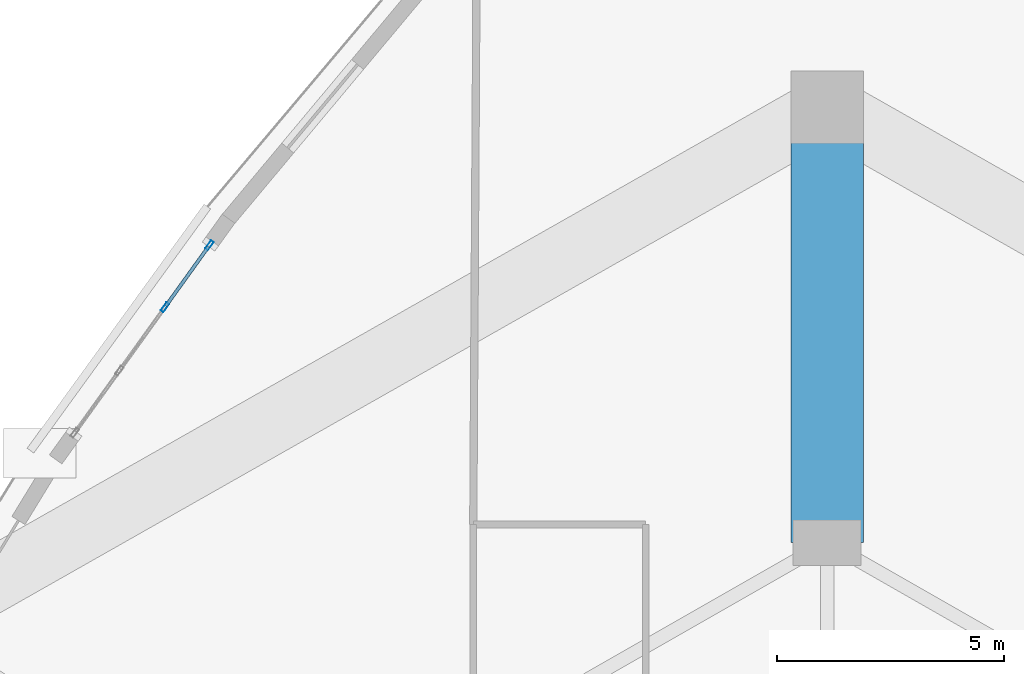
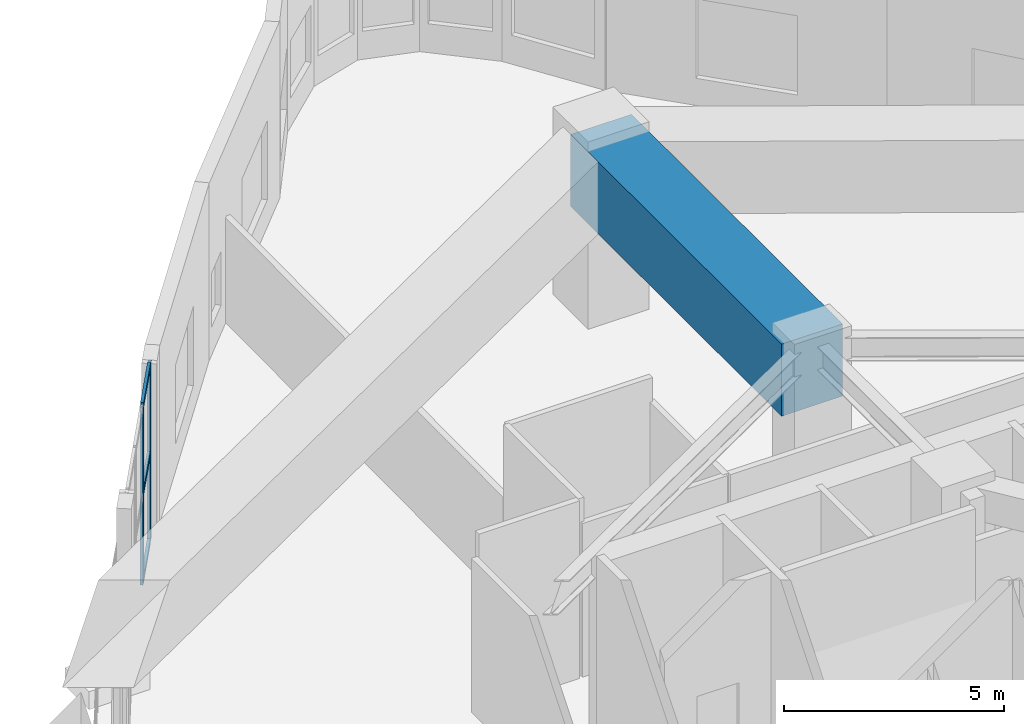
# One storey, part 8 of 19: 5 members, 1 beam, 1 element without a shape of its own.
"""IFC4 building model written with IfcOpenShell, lengths in metres."""

import ifcopenshell
import ifcopenshell.guid

model = None  # the IFC model being written
_history = None  # IfcOwnerHistory: only IFC2X3 demands one
_inside = {}  # id of a spatial element -> (the spatial element, [elements in it])
_under = {}  # id of a project, library or spatial element -> (it, [spatial elements below it])
_declared = {}  # id of a project -> (the project, [libraries it declares])
_typed = {}  # id of a type object -> (the type object, [elements of that type])
_made_of = {}  # id of a material, layer set ... -> (it, [elements and type objects made of it])


def new_model(schema):
    """Start an empty IFC model of exactly this schema.

    Asked for "IFC4X3", IfcOpenShell would pick the latest addendum, in which some entities
    have other attributes; the version numbers below select the first issue.
    IFC2X3 requires an IfcOwnerHistory on every rooted entity: one is made here for all.
    """
    global model, _history
    if schema == "IFC4X3":
        model = ifcopenshell.file(schema_version=(4, 3, 0, 0))
    else:
        model = ifcopenshell.file(schema=schema)
    _inside.clear()
    _under.clear()
    _declared.clear()
    _typed.clear()
    _made_of.clear()
    _history = None
    if model.schema == "IFC2X3":
        org = make("IfcOrganization", Name="unknown")
        user = make(
            "IfcPersonAndOrganization",
            ThePerson=make("IfcPerson", FamilyName="unknown"),
            TheOrganization=org,
        )
        app = make(
            "IfcApplication",
            ApplicationDeveloper=org,
            Version="unknown",
            ApplicationFullName="unknown",
            ApplicationIdentifier="unknown",
        )
        _history = make(
            "IfcOwnerHistory",
            OwningUser=user,
            OwningApplication=app,
            ChangeAction="ADDED",
            CreationDate=0,
        )
    return model


def make(cls, **values):
    """One entity of the class cls with the attributes given. An attribute that is None is left unset."""
    return model.create_entity(
        cls, **{name: value for name, value in values.items() if value is not None}
    )


def rooted(cls, **values):
    """An entity with a GlobalId (a new one), such as an element, a storey or a relation."""
    return make(cls, GlobalId=ifcopenshell.guid.new(), OwnerHistory=_history, **values)


def si_unit(unit_type, name, prefix=None):
    """IfcSIUnit, for example si_unit("LENGTHUNIT", "METRE", prefix="MILLI")."""
    return make("IfcSIUnit", UnitType=unit_type, Prefix=prefix, Name=name)


def assignment(units):
    """IfcUnitAssignment: the units of a project."""
    return None if units is None else make("IfcUnitAssignment", Units=units)


def point(xyz):
    """IfcCartesianPoint."""
    return None if xyz is None else make("IfcCartesianPoint", Coordinates=xyz)


def direction(xyz):
    """IfcDirection."""
    return None if xyz is None else make("IfcDirection", DirectionRatios=xyz)


def frame(location, z_axis=None, x_axis=None):
    """IfcAxis2Placement3D, a coordinate frame: its origin and axes. An axis left out is left unset."""
    return make(
        "IfcAxis2Placement3D",
        Location=point(location),
        Axis=direction(z_axis),
        RefDirection=direction(x_axis),
    )


def frame_2d(location, x_axis=None):
    """IfcAxis2Placement2D, a coordinate frame in the plane: its origin and x axis."""
    return make(
        "IfcAxis2Placement2D", Location=point(location), RefDirection=direction(x_axis)
    )


def origin():
    """The frame at (0, 0, 0) with its axes left unset."""
    return frame((0.0, 0.0, 0.0))


def origin_2d():
    """The frame at (0, 0) in the plane with its x axis left unset."""
    return frame_2d((0.0, 0.0))


def place(relative_to, where):
    """IfcLocalPlacement: puts the frame where relative to a parent placement (None: the world)."""
    return make(
        "IfcLocalPlacement", PlacementRelTo=relative_to, RelativePlacement=where
    )


def context(
    kind, dimensions, precision=None, world=None, true_north=None, identifier=None
):
    """IfcGeometricRepresentationContext, for example the 3D "Model" context."""
    return make(
        "IfcGeometricRepresentationContext",
        ContextIdentifier=identifier,
        ContextType=kind,
        CoordinateSpaceDimension=dimensions,
        Precision=precision,
        WorldCoordinateSystem=world,
        TrueNorth=true_north,
    )


def subcontext(parent, identifier, kind, view, scale=None):
    """IfcGeometricRepresentationSubContext, for example "Body" below "Model"."""
    return make(
        "IfcGeometricRepresentationSubContext",
        ContextIdentifier=identifier,
        ContextType=kind,
        ParentContext=parent,
        TargetScale=scale,
        TargetView=view,
    )


def project(units=None, contexts=None):
    """IfcProject with its units and contexts."""
    return rooted(
        "IfcProject",
        Name="project",
        RepresentationContexts=contexts,
        UnitsInContext=assignment(units),
    )


def spatial(cls, under=None, at=None, **own):
    """A site, building, storey or space (cls), placed at a placement, below another one or the project."""
    s = rooted(cls, ObjectPlacement=at, **own)
    if under is not None:
        _under.setdefault(under.id(), (under, []))[1].append(s)
    return s


def profile(cls, at=None, kind="AREA", **sizes):
    """A parametric profile (cls). Its sizes go by their IFC names, for example OverallWidth=200.0."""
    return make(cls, ProfileType=kind, Position=at, **sizes)


def rectangle(**sizes):
    """IfcRectangleProfileDef."""
    return profile("IfcRectangleProfileDef", **sizes)


def hollow_rectangle(**sizes):
    """IfcRectangleHollowProfileDef."""
    return profile("IfcRectangleHollowProfileDef", **sizes)


def extrude(swept, where, along, depth):
    """IfcExtrudedAreaSolid: the profile swept, set in the frame where, extruded along a direction by depth."""
    return make(
        "IfcExtrudedAreaSolid",
        SweptArea=swept,
        Position=where,
        ExtrudedDirection=direction(along),
        Depth=depth,
    )


def shape(context_of_items, identifier, shape_type, items):
    """IfcShapeRepresentation: the items that make up one representation, for example the "Body"."""
    return make(
        "IfcShapeRepresentation",
        ContextOfItems=context_of_items,
        RepresentationIdentifier=identifier,
        RepresentationType=shape_type,
        Items=items,
    )


def material(Name=None, Category=None):
    """IfcMaterial."""
    return make("IfcMaterial", Name=Name, Category=Category)


def layer(
    of_material, thickness, ventilated=None, Name=None, Category=None, Priority=None
):
    """IfcMaterialLayer: one layer of a wall or slab, of a material (None: an air gap)."""
    return make(
        "IfcMaterialLayer",
        Material=of_material,
        LayerThickness=thickness,
        IsVentilated=ventilated,
        Name=Name,
        Category=Category,
        Priority=Priority,
    )


def layer_set(layers, Name=None):
    """IfcMaterialLayerSet."""
    return make("IfcMaterialLayerSet", MaterialLayers=layers, LayerSetName=Name)


def material_profile(
    of_material, cross_section, Name=None, Category=None, Priority=None
):
    """IfcMaterialProfile: a cross section and its material."""
    return make(
        "IfcMaterialProfile",
        Name=Name,
        Material=of_material,
        Profile=cross_section,
        Priority=Priority,
        Category=Category,
    )


def profile_set(profiles, Name=None, composite=None):
    """IfcMaterialProfileSet."""
    return make(
        "IfcMaterialProfileSet",
        Name=Name,
        MaterialProfiles=profiles,
        CompositeProfile=composite,
    )


def made_of(thing, what):
    """Note that an element or type object is made of a material, layer set ...; save() writes the relation."""
    if what is not None:
        _made_of.setdefault(what.id(), (what, []))[1].append(thing)
    return thing


def type_object(cls, material=None, **own):
    """A type object (cls), such as IfcWallType, which elements share."""
    return made_of(rooted(cls, **own), material)


def element(
    cls,
    number,
    at=None,
    inside=None,
    cuts=None,
    type_object=None,
    material=None,
    context=None,
    identifier="Body",
    shape_type=None,
    held_by="IfcProductDefinitionShape",
    body=None,
    shapes=None,
    **own,
):
    """One element of the class cls, such as IfcWall. Its Tag is "e" and its number.

    at: its placement. inside: the storey or other place that contains it. cuts: it is an
    opening in that element (IfcRelVoidsElement). A single representation is given by context,
    identifier, shape_type and body (its items); several are given by shapes. held_by: the class
    of the entity that holds the representations. save() writes the other relations.
    """
    e = rooted(cls, Tag="e%d" % number, ObjectPlacement=at, **own)
    if body is not None:
        shapes = [shape(context, identifier, shape_type, body)]
    if shapes is not None:
        e.Representation = make(held_by, Representations=shapes)
    if inside is not None:
        _inside.setdefault(inside.id(), (inside, []))[1].append(e)
    if cuts is not None:
        rooted(
            "IfcRelVoidsElement", RelatingBuildingElement=cuts, RelatedOpeningElement=e
        )
    if type_object is not None:
        _typed.setdefault(type_object.id(), (type_object, []))[1].append(e)
    return made_of(e, material)


def aggregate(whole, parts):
    """IfcRelAggregates: a whole, such as a stair, and the parts it consists of."""
    return rooted("IfcRelAggregates", RelatingObject=whole, RelatedObjects=parts)


def save(model, path):
    """Write the relations noted so far, then the file.

    IfcRelAggregates (storeys below a building ...), IfcRelContainedInSpatialStructure (elements
    in a storey), IfcRelDefinesByType, IfcRelAssociatesMaterial and IfcRelDeclares: one each for
    every whole, place, type object, material and project.
    """
    for whole, parts in _under.values():
        aggregate(whole, parts)
    for where, things in _inside.values():
        rooted(
            "IfcRelContainedInSpatialStructure",
            RelatedElements=things,
            RelatingStructure=where,
        )
    for kind, things in _typed.values():
        rooted("IfcRelDefinesByType", RelatedObjects=things, RelatingType=kind)
    for what, things in _made_of.values():
        rooted("IfcRelAssociatesMaterial", RelatedObjects=things, RelatingMaterial=what)
    for by, libraries in _declared.values():
        rooted("IfcRelDeclares", RelatingContext=by, RelatedDefinitions=libraries)
    model.write(path)


model = new_model("IFC4")

# Units and contexts
model_context = context("Model", 3, precision=1e-05, world=origin(), true_north=direction((0.0, 1.0)))
body_context = subcontext(model_context, "Body", "Model", "MODEL_VIEW")
ifc_project = project(units=[si_unit("LENGTHUNIT", "METRE"), si_unit("AREAUNIT", "SQUARE_METRE"), si_unit("VOLUMEUNIT", "CUBIC_METRE"), si_unit("PLANEANGLEUNIT", "RADIAN"), si_unit("MASSUNIT", "GRAM", prefix="KILO")], contexts=[model_context])

# Site, building, storey
site_placement = place(None, origin())
site = spatial("IfcSite", under=ifc_project, at=site_placement, CompositionType="ELEMENT")
building_placement = place(site_placement, origin())
building = spatial("IfcBuilding", under=site, at=building_placement, Name="Miruveldt Soraemaru", CompositionType="ELEMENT")
storey_placement = place(building_placement, frame((0.0, 0.0, 24.0)))
storey = spatial("IfcBuildingStorey", under=building, at=storey_placement, Name="L06", CompositionType="ELEMENT", Elevation=24.0)

# Beam
ifc_material_1 = material(Name="Concrete C70/85 (70 MPa)", Category="concrete")
ifc_material_profile_1 = material_profile(ifc_material_1, rectangle(XDim=1.60009765625, YDim=2.0, at=origin_2d()), Name="Concrete C70/85 (70 MPa)", Category="concrete")
ifc_profile_set_1 = profile_set([ifc_material_profile_1], Name="Concrete C70/85 (70 MPa)")
beam_type = type_object("IfcBeamType", Name="BM-TG-1600x2000", PredefinedType="USERDEFINED", material=ifc_profile_set_1)
beam_placement = place(storey_placement, frame((44.0, 57.60009765625, 3.925048828125), z_axis=(0.0, 1.0, 0.0), x_axis=(-1.0, 0.0, 0.0)))
element("IfcBeam", 1, at=beam_placement, inside=storey, type_object=beam_type, Name="L06 Continuous Radial Transfer Girder 1", ObjectType="TRANSFER GIRDER", PredefinedType="USERDEFINED", context=body_context, shape_type="SweptSolid", body=[
    extrude(rectangle(XDim=1.60009765625, YDim=2.0, at=origin_2d()), origin(), (0.0, 0.0, 1.0), 9.599853515625),
])

# Curtain wall, members
ifc_material_2 = material(Name="Anodised aluminium EN AW-6063 T6", Category="aluminium")
ifc_layer = layer(ifc_material_2, 0.219970703125, Name="Anodised aluminium EN AW-6063 T6", Category="aluminium")
ifc_layer_set = layer_set([ifc_layer], Name="Anodised aluminium EN AW-6063 T6")
curtain_wall_type = type_object("IfcCurtainWallType", Name="CW-SYS-2", PredefinedType="USERDEFINED", material=ifc_layer_set)
curtain_wall_placement = place(storey_placement, origin())
curtain_wall = element("IfcCurtainWall", 2, at=curtain_wall_placement, inside=storey, type_object=curtain_wall_type, Name="L06 Curtain Wall Bay 9", ObjectType="STOREFRONT", PredefinedType="USERDEFINED")
ifc_material_profile_2 = material_profile(ifc_material_2, hollow_rectangle(XDim=0.074951171875, YDim=0.219970703125, WallThickness=0.0048828125, at=origin_2d()), Name="Anodised aluminium EN AW-6063 T6", Category="aluminium")
ifc_profile_set_2 = profile_set([ifc_material_profile_2], Name="Anodised aluminium EN AW-6063 T6")
member_type_1 = type_object("IfcMemberType", Name="CWM-2", PredefinedType="MULLION", material=ifc_profile_set_2)
member_1_placement = place(storey_placement, frame((30.38427734375, 64.153076171875, 0.0), z_axis=(0.0, 0.0, 1.0), x_axis=(0.812183718454, -0.583401754779, 0.0)))
member_1 = element("IfcMember", 3, at=member_1_placement, type_object=member_type_1, Name="CW-2 mullion 1", PredefinedType="MULLION", context=body_context, shape_type="SweptSolid", body=[
    extrude(hollow_rectangle(XDim=0.074951171875, YDim=0.219970703125, WallThickness=0.0048828125, at=origin_2d()), origin(), (0.0, 0.0, 1.0), 4.925048828125),
])
member_2_placement = place(storey_placement, frame((29.402099609375, 62.78564453125, 0.0), z_axis=(0.0, 0.0, 1.0), x_axis=(0.812183718454, -0.583401754779, 0.0)))
member_2 = element("IfcMember", 4, at=member_2_placement, type_object=member_type_1, Name="CW-2 mullion 2", PredefinedType="MULLION", context=body_context, shape_type="SweptSolid", body=[
    extrude(hollow_rectangle(XDim=0.074951171875, YDim=0.219970703125, WallThickness=0.0048828125, at=origin_2d()), origin(), (0.0, 0.0, 1.0), 4.925048828125),
])
ifc_material_profile_3 = material_profile(ifc_material_2, hollow_rectangle(XDim=0.074951171875, YDim=0.1650390625, WallThickness=0.00390625, at=origin_2d()), Name="Anodised aluminium EN AW-6063 T6", Category="aluminium")
ifc_profile_set_3 = profile_set([ifc_material_profile_3], Name="Anodised aluminium EN AW-6063 T6")
member_type_2 = type_object("IfcMemberType", Name="CWT-2", PredefinedType="USERDEFINED", material=ifc_profile_set_3)
member_3_placement = place(storey_placement, frame((30.3623046875, 64.12255859375, 0.03759765625), z_axis=(-0.583432747687, -0.812161454962, 0.0), x_axis=(0.812161454962, -0.583432747687, 0.0)))
member_3 = element("IfcMember", 5, at=member_3_placement, type_object=member_type_2, Name="CW-2 transom 1.1", ObjectType="TRANSOM", PredefinedType="USERDEFINED", context=body_context, shape_type="SweptSolid", body=[
    extrude(hollow_rectangle(XDim=0.074951171875, YDim=0.1650390625, WallThickness=0.00390625, at=origin_2d()), origin(), (0.0, 0.0, 1.0), 1.608642578125),
])
member_4_placement = place(storey_placement, frame((30.3623046875, 64.12255859375, 2.46240234375), z_axis=(-0.583432747687, -0.812161454962, 0.0), x_axis=(0.812161454962, -0.583432747687, 0.0)))
member_4 = element("IfcMember", 6, at=member_4_placement, type_object=member_type_2, Name="CW-2 transom 1.2", ObjectType="TRANSOM", PredefinedType="USERDEFINED", context=body_context, shape_type="SweptSolid", body=[
    extrude(hollow_rectangle(XDim=0.074951171875, YDim=0.1650390625, WallThickness=0.00390625, at=origin_2d()), origin(), (0.0, 0.0, 1.0), 1.608642578125),
])
member_5_placement = place(storey_placement, frame((30.3623046875, 64.12255859375, 4.887451171875), z_axis=(-0.583432747687, -0.812161454962, 0.0), x_axis=(0.812161454962, -0.583432747687, 0.0)))
member_5 = element("IfcMember", 7, at=member_5_placement, type_object=member_type_2, Name="CW-2 transom 1.3", ObjectType="TRANSOM", PredefinedType="USERDEFINED", context=body_context, shape_type="SweptSolid", body=[
    extrude(hollow_rectangle(XDim=0.074951171875, YDim=0.1650390625, WallThickness=0.00390625, at=origin_2d()), origin(), (0.0, 0.0, 1.0), 1.608642578125),
])
aggregate(curtain_wall, [member_1, member_2, member_3, member_4, member_5])

save(model, "model.ifc")
